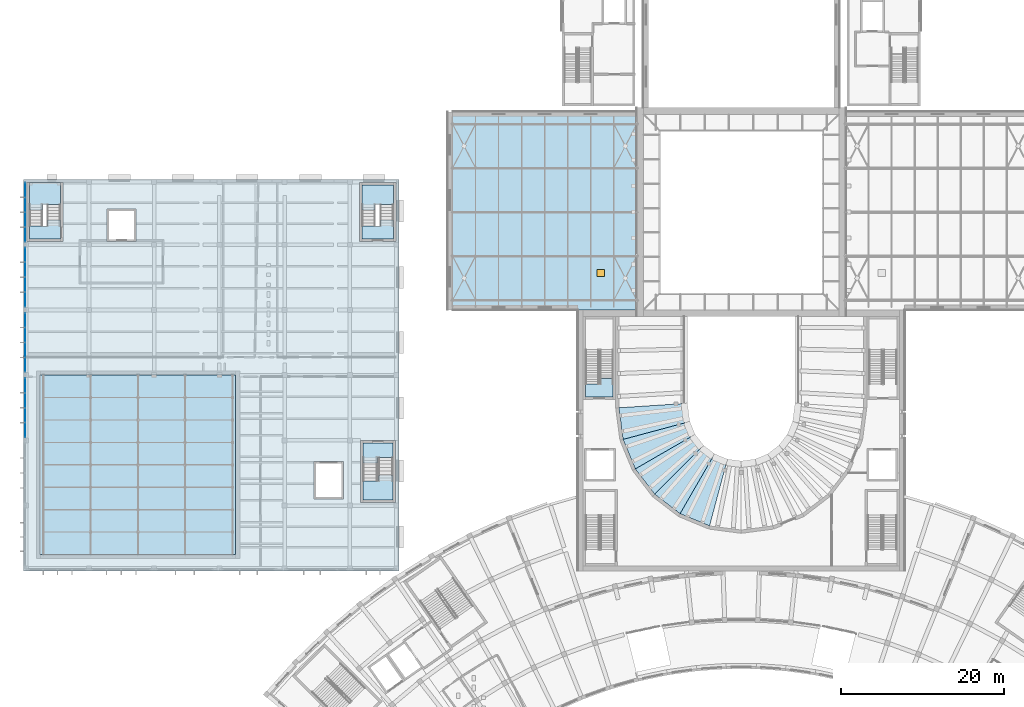
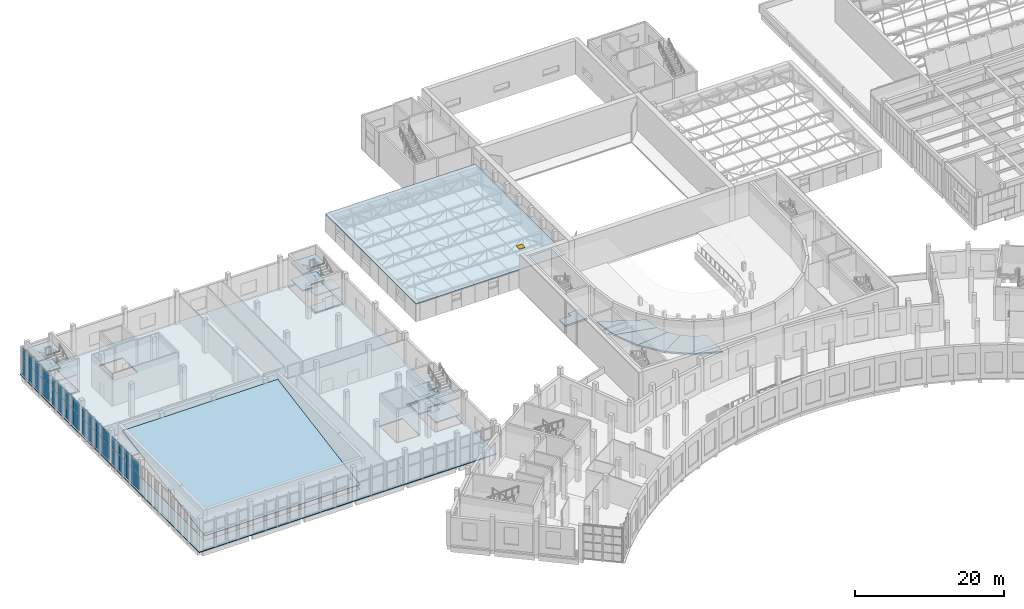
# One storey, part 64 of 132: 32 plates, 21 slabs, 1 door, 1 opening, 7 elements without a shape of their own.
"""IFC4 building model written with IfcOpenShell, lengths in metres."""

from ifc_helpers import new_model, si_unit, direction, frame, origin, origin_2d, place, context, subcontext, project, spatial, polyline, rectangle, outline, extrude, material, layer, layer_set, type_object, element, fill, aggregate, save


model = new_model("IFC4")

# Units and contexts
model_context = context("Model", 3, precision=1e-05, world=origin(), true_north=direction((0.0, 1.0)))
body_context = subcontext(model_context, "Body", "Model", "MODEL_VIEW")
ifc_project = project(units=[si_unit("LENGTHUNIT", "METRE"), si_unit("AREAUNIT", "SQUARE_METRE"), si_unit("VOLUMEUNIT", "CUBIC_METRE"), si_unit("PLANEANGLEUNIT", "RADIAN"), si_unit("MASSUNIT", "GRAM", prefix="KILO")], contexts=[model_context])

# Site, building, storey
site_placement = place(None, origin())
site = spatial("IfcSite", under=ifc_project, at=site_placement, CompositionType="ELEMENT")
building_placement = place(site_placement, origin())
building = spatial("IfcBuilding", under=site, at=building_placement, Name="Lunette Opera House", CompositionType="ELEMENT")
storey_placement = place(building_placement, frame((0.0, 0.0, 17.0)))
storey = spatial("IfcBuildingStorey", under=building, at=storey_placement, Name="L03", CompositionType="ELEMENT", Elevation=17.0)

# Slabs
ifc_material_1 = material(Name="Concrete C35/45", Category="concrete")
ifc_layer_1 = layer(ifc_material_1, 0.199951171875)
ifc_layer_set_1 = layer_set([ifc_layer_1], Name="Concrete C35/45")
slab_type_1 = type_object("IfcSlabType", Name="CORE LANDING SLAB 200", PredefinedType="LANDING", material=ifc_layer_set_1)
slab_1_placement = place(storey_placement, frame((0.0, 0.0, -0.199951171875)))
element("IfcSlab", 1, at=slab_1_placement, inside=storey, type_object=slab_type_1, Name="ST15 floor landing", PredefinedType="LANDING", context=body_context, shape_type="SweptSolid", body=[
    extrude(outline(polyline([(10.89990234375, 106.300048828125), (10.89990234375, 107.0), (12.5, 107.0), (12.5, 104.699951171875), (8.699951171875, 104.699951171875), (8.699951171875, 106.31005859375), (10.300048828125, 106.31005859375), (10.300048828125, 106.300048828125), (10.89990234375, 106.300048828125)])), origin(), (0.0, 0.0, 1.0), 0.199951171875),
])
slab_2_placement = place(storey_placement, frame((0.0, 0.0, -0.199951171875)))
element("IfcSlab", 2, at=slab_2_placement, inside=storey, type_object=slab_type_1, Name="ST16 floor landing", PredefinedType="LANDING", context=body_context, shape_type="SweptSolid", body=[
    extrude(outline(polyline([(53.300048828125, 77.919921875), (51.530029296875, 77.919921875), (51.530029296875, 77.929931640625), (51.3701171875, 77.929931640625), (51.3701171875, 77.22998046875), (49.60009765625, 77.22998046875), (49.60009765625, 79.699951171875), (53.300048828125, 79.699951171875), (53.300048828125, 77.919921875)])), origin(), (0.0, 0.0, 1.0), 0.199951171875),
])
slab_3_placement = place(storey_placement, frame((0.0, 0.0, -0.199951171875)))
element("IfcSlab", 3, at=slab_3_placement, inside=storey, type_object=slab_type_1, Name="ST17 floor landing", PredefinedType="LANDING", context=body_context, shape_type="SweptSolid", body=[
    extrude(outline(polyline([(53.3349609375, 104.699951171875), (49.5, 104.699951171875), (49.5, 106.31005859375), (51.10009765625, 106.31005859375), (51.10009765625, 106.300048828125), (51.735107421875, 106.300048828125), (51.735107421875, 107.0), (53.3349609375, 107.0), (53.3349609375, 104.699951171875)])), origin(), (0.0, 0.0, 1.0), 0.199951171875),
])
ifc_material_2 = material(Name="Concrete C35/45", Category="concrete")
ifc_layer_2 = layer(ifc_material_2, 0.300048828125)
ifc_layer_set_2 = layer_set([ifc_layer_2], Name="Concrete C35/45")
slab_type_2 = type_object("IfcSlabType", Name="CORE LANDING SLAB 300", PredefinedType="LANDING", material=ifc_layer_set_2)
slab_4_placement = place(storey_placement, frame((0.0, 0.0, -0.300048828125)))
element("IfcSlab", 4, at=slab_4_placement, inside=storey, type_object=slab_type_2, Name="ST10 floor landing", PredefinedType="LANDING", context=body_context, shape_type="SweptSolid", body=[
    extrude(outline(polyline([(76.89990234375, 85.300048828125), (76.89990234375, 86.929931640625), (78.52001953125, 86.929931640625), (78.52001953125, 86.919921875), (78.679931640625, 86.919921875), (78.679931640625, 87.6201171875), (80.300048828125, 87.6201171875), (80.300048828125, 85.300048828125), (76.89990234375, 85.300048828125)])), origin(), (0.0, 0.0, 1.0), 0.300048828125),
])

# Curtain wall, plates
ifc_material_3 = material(Name="Aluminium", Category="aluminium")
ifc_layer_3 = layer(ifc_material_3, 0.179931640625)
ifc_layer_set_3 = layer_set([ifc_layer_3], Name="Aluminium")
curtain_wall_type = type_object("IfcCurtainWallType", Name="SUN FACE CURTAIN WALL", PredefinedType="NOTDEFINED", material=ifc_layer_set_3)
curtain_wall_1_placement = place(storey_placement, origin())
curtain_wall_1 = element("IfcCurtainWall", 5, at=curtain_wall_1_placement, inside=storey, type_object=curtain_wall_type, Name="Sun Face Curtain Wall F13 L03", PredefinedType="NOTDEFINED")
ifc_material_4 = material(Name="Laminated glass", Category="glass")
ifc_layer_4 = layer(ifc_material_4, 0.028076171875)
ifc_layer_set_4 = layer_set([ifc_layer_4], Name="Laminated glass")
plate_type = type_object("IfcPlateType", Name="CURTAIN PANEL LAMINATED GLASS 28", PredefinedType="CURTAIN_PANEL", material=ifc_layer_set_4)
plate_1_placement = place(storey_placement, frame((8.181884765625, 110.706787109375, 0.06005859375), z_axis=(0.0, 0.0, 1.0), x_axis=(0.0, -1.0, 0.0)))
plate_1 = element("IfcPlate", 6, at=plate_1_placement, type_object=plate_type, Name="RW-X2043 panel 1.1", PredefinedType="CURTAIN_PANEL", context=body_context, shape_type="SweptSolid", body=[
    extrude(rectangle(XDim=1.736328125, YDim=0.028076171875, at=origin_2d()), origin(), (0.0, 0.0, 1.0), 2.5849609375),
])
plate_2_placement = place(storey_placement, frame((8.181884765625, 110.706787109375, 2.705078125), z_axis=(0.0, 0.0, 1.0), x_axis=(0.0, -1.0, 0.0)))
plate_2 = element("IfcPlate", 7, at=plate_2_placement, type_object=plate_type, Name="RW-X2043 panel 1.2", PredefinedType="CURTAIN_PANEL", context=body_context, shape_type="SweptSolid", body=[
    extrude(rectangle(XDim=1.736328125, YDim=0.028076171875, at=origin_2d()), origin(), (0.0, 0.0, 1.0), 1.784912109375),
])
plate_3_placement = place(storey_placement, frame((8.181884765625, 108.8955078125, 0.06005859375), z_axis=(0.0, 0.0, 1.0), x_axis=(0.0, -1.0, 0.0)))
plate_3 = element("IfcPlate", 8, at=plate_3_placement, type_object=plate_type, Name="RW-X2043 panel 2.1", PredefinedType="CURTAIN_PANEL", context=body_context, shape_type="SweptSolid", body=[
    extrude(rectangle(XDim=1.766357421875, YDim=0.028076171875, at=origin_2d()), origin(), (0.0, 0.0, 1.0), 2.5849609375),
])
plate_4_placement = place(storey_placement, frame((8.181884765625, 108.8955078125, 2.705078125), z_axis=(0.0, 0.0, 1.0), x_axis=(0.0, -1.0, 0.0)))
plate_4 = element("IfcPlate", 9, at=plate_4_placement, type_object=plate_type, Name="RW-X2043 panel 2.2", PredefinedType="CURTAIN_PANEL", context=body_context, shape_type="SweptSolid", body=[
    extrude(rectangle(XDim=1.766357421875, YDim=0.028076171875, at=origin_2d()), origin(), (0.0, 0.0, 1.0), 1.784912109375),
])
plate_5_placement = place(storey_placement, frame((8.181884765625, 107.0693359375, 0.06005859375), z_axis=(0.0, 0.0, 1.0), x_axis=(0.0, -1.0, 0.0)))
plate_5 = element("IfcPlate", 10, at=plate_5_placement, type_object=plate_type, Name="RW-X2043 panel 3.1", PredefinedType="CURTAIN_PANEL", context=body_context, shape_type="SweptSolid", body=[
    extrude(rectangle(XDim=1.766357421875, YDim=0.028076171875, at=origin_2d()), origin(), (0.0, 0.0, 1.0), 2.5849609375),
])
plate_6_placement = place(storey_placement, frame((8.181884765625, 107.0693359375, 2.705078125), z_axis=(0.0, 0.0, 1.0), x_axis=(0.0, -1.0, 0.0)))
plate_6 = element("IfcPlate", 11, at=plate_6_placement, type_object=plate_type, Name="RW-X2043 panel 3.2", PredefinedType="CURTAIN_PANEL", context=body_context, shape_type="SweptSolid", body=[
    extrude(rectangle(XDim=1.766357421875, YDim=0.028076171875, at=origin_2d()), origin(), (0.0, 0.0, 1.0), 1.784912109375),
])
plate_7_placement = place(storey_placement, frame((8.181884765625, 105.258056640625, 0.06005859375), z_axis=(0.0, 0.0, 1.0), x_axis=(0.0, -1.0, 0.0)))
plate_7 = element("IfcPlate", 12, at=plate_7_placement, type_object=plate_type, Name="RW-X2043 panel 4.1", PredefinedType="CURTAIN_PANEL", context=body_context, shape_type="SweptSolid", body=[
    extrude(rectangle(XDim=1.736328125, YDim=0.028076171875, at=origin_2d()), origin(), (0.0, 0.0, 1.0), 2.5849609375),
])
plate_8_placement = place(storey_placement, frame((8.181884765625, 105.258056640625, 2.705078125), z_axis=(0.0, 0.0, 1.0), x_axis=(0.0, -1.0, 0.0)))
plate_8 = element("IfcPlate", 13, at=plate_8_placement, type_object=plate_type, Name="RW-X2043 panel 4.2", PredefinedType="CURTAIN_PANEL", context=body_context, shape_type="SweptSolid", body=[
    extrude(rectangle(XDim=1.736328125, YDim=0.028076171875, at=origin_2d()), origin(), (0.0, 0.0, 1.0), 1.784912109375),
])
aggregate(curtain_wall_1, [plate_1, plate_2, plate_3, plate_4, plate_5, plate_6, plate_7, plate_8])

curtain_wall_2_placement = place(storey_placement, origin())
curtain_wall_2 = element("IfcCurtainWall", 14, at=curtain_wall_2_placement, inside=storey, type_object=curtain_wall_type, Name="Sun Face Curtain Wall F14 L03", PredefinedType="NOTDEFINED")
plate_9_placement = place(storey_placement, frame((8.181884765625, 102.76025390625, 0.06005859375), z_axis=(0.0, 0.0, 1.0), x_axis=(0.0, -1.0, 0.0)))
plate_9 = element("IfcPlate", 15, at=plate_9_placement, type_object=plate_type, Name="RW-X2044 panel 1.1", PredefinedType="CURTAIN_PANEL", context=body_context, shape_type="SweptSolid", body=[
    extrude(rectangle(XDim=1.75146484375, YDim=0.028076171875, at=origin_2d()), origin(), (0.0, 0.0, 1.0), 2.5849609375),
])
plate_10_placement = place(storey_placement, frame((8.181884765625, 102.76025390625, 2.705078125), z_axis=(0.0, 0.0, 1.0), x_axis=(0.0, -1.0, 0.0)))
plate_10 = element("IfcPlate", 16, at=plate_10_placement, type_object=plate_type, Name="RW-X2044 panel 1.2", PredefinedType="CURTAIN_PANEL", context=body_context, shape_type="SweptSolid", body=[
    extrude(rectangle(XDim=1.75146484375, YDim=0.028076171875, at=origin_2d()), origin(), (0.0, 0.0, 1.0), 1.784912109375),
])
plate_11_placement = place(storey_placement, frame((8.181884765625, 100.933837890625, 0.06005859375), z_axis=(0.0, 0.0, 1.0), x_axis=(0.0, -1.0, 0.0)))
plate_11 = element("IfcPlate", 17, at=plate_11_placement, type_object=plate_type, Name="RW-X2044 panel 2.1", PredefinedType="CURTAIN_PANEL", context=body_context, shape_type="SweptSolid", body=[
    extrude(rectangle(XDim=1.781494140625, YDim=0.028076171875, at=origin_2d()), origin(), (0.0, 0.0, 1.0), 2.5849609375),
])
plate_12_placement = place(storey_placement, frame((8.181884765625, 100.933837890625, 2.705078125), z_axis=(0.0, 0.0, 1.0), x_axis=(0.0, -1.0, 0.0)))
plate_12 = element("IfcPlate", 18, at=plate_12_placement, type_object=plate_type, Name="RW-X2044 panel 2.2", PredefinedType="CURTAIN_PANEL", context=body_context, shape_type="SweptSolid", body=[
    extrude(rectangle(XDim=1.781494140625, YDim=0.028076171875, at=origin_2d()), origin(), (0.0, 0.0, 1.0), 1.784912109375),
])
plate_13_placement = place(storey_placement, frame((8.181884765625, 99.09228515625, 0.06005859375), z_axis=(0.0, 0.0, 1.0), x_axis=(0.0, -1.0, 0.0)))
plate_13 = element("IfcPlate", 19, at=plate_13_placement, type_object=plate_type, Name="RW-X2044 panel 3.1", PredefinedType="CURTAIN_PANEL", context=body_context, shape_type="SweptSolid", body=[
    extrude(rectangle(XDim=1.781494140625, YDim=0.028076171875, at=origin_2d()), origin(), (0.0, 0.0, 1.0), 2.5849609375),
])
plate_14_placement = place(storey_placement, frame((8.181884765625, 99.09228515625, 2.705078125), z_axis=(0.0, 0.0, 1.0), x_axis=(0.0, -1.0, 0.0)))
plate_14 = element("IfcPlate", 20, at=plate_14_placement, type_object=plate_type, Name="RW-X2044 panel 3.2", PredefinedType="CURTAIN_PANEL", context=body_context, shape_type="SweptSolid", body=[
    extrude(rectangle(XDim=1.781494140625, YDim=0.028076171875, at=origin_2d()), origin(), (0.0, 0.0, 1.0), 1.784912109375),
])
plate_15_placement = place(storey_placement, frame((8.181884765625, 97.265869140625, 0.06005859375), z_axis=(0.0, 0.0, 1.0), x_axis=(0.0, -1.0, 0.0)))
plate_15 = element("IfcPlate", 21, at=plate_15_placement, type_object=plate_type, Name="RW-X2044 panel 4.1", PredefinedType="CURTAIN_PANEL", context=body_context, shape_type="SweptSolid", body=[
    extrude(rectangle(XDim=1.75146484375, YDim=0.028076171875, at=origin_2d()), origin(), (0.0, 0.0, 1.0), 2.5849609375),
])
plate_16_placement = place(storey_placement, frame((8.181884765625, 97.265869140625, 2.705078125), z_axis=(0.0, 0.0, 1.0), x_axis=(0.0, -1.0, 0.0)))
plate_16 = element("IfcPlate", 22, at=plate_16_placement, type_object=plate_type, Name="RW-X2044 panel 4.2", PredefinedType="CURTAIN_PANEL", context=body_context, shape_type="SweptSolid", body=[
    extrude(rectangle(XDim=1.75146484375, YDim=0.028076171875, at=origin_2d()), origin(), (0.0, 0.0, 1.0), 1.784912109375),
])
aggregate(curtain_wall_2, [plate_9, plate_10, plate_11, plate_12, plate_13, plate_14, plate_15, plate_16])

curtain_wall_3_placement = place(storey_placement, origin())
curtain_wall_3 = element("IfcCurtainWall", 23, at=curtain_wall_3_placement, inside=storey, type_object=curtain_wall_type, Name="Sun Face Curtain Wall F15 L03", PredefinedType="NOTDEFINED")
plate_17_placement = place(storey_placement, frame((8.181884765625, 94.737548828125, 0.06005859375), z_axis=(0.0, 0.0, 1.0), x_axis=(0.0, -1.0, 0.0)))
plate_17 = element("IfcPlate", 24, at=plate_17_placement, type_object=plate_type, Name="RW-X2045 panel 1.1", PredefinedType="CURTAIN_PANEL", context=body_context, shape_type="SweptSolid", body=[
    extrude(rectangle(XDim=1.7451171875, YDim=0.028076171875, at=origin_2d()), origin(), (0.0, 0.0, 1.0), 2.5849609375),
])
plate_18_placement = place(storey_placement, frame((8.181884765625, 94.737548828125, 2.705078125), z_axis=(0.0, 0.0, 1.0), x_axis=(0.0, -1.0, 0.0)))
plate_18 = element("IfcPlate", 25, at=plate_18_placement, type_object=plate_type, Name="RW-X2045 panel 1.2", PredefinedType="CURTAIN_PANEL", context=body_context, shape_type="SweptSolid", body=[
    extrude(rectangle(XDim=1.7451171875, YDim=0.028076171875, at=origin_2d()), origin(), (0.0, 0.0, 1.0), 1.784912109375),
])
plate_19_placement = place(storey_placement, frame((8.181884765625, 92.91748046875, 0.06005859375), z_axis=(0.0, 0.0, 1.0), x_axis=(0.0, -1.0, 0.0)))
plate_19 = element("IfcPlate", 26, at=plate_19_placement, type_object=plate_type, Name="RW-X2045 panel 2.1", PredefinedType="CURTAIN_PANEL", context=body_context, shape_type="SweptSolid", body=[
    extrude(rectangle(XDim=1.77490234375, YDim=0.028076171875, at=origin_2d()), origin(), (0.0, 0.0, 1.0), 2.5849609375),
])
plate_20_placement = place(storey_placement, frame((8.181884765625, 92.91748046875, 2.705078125), z_axis=(0.0, 0.0, 1.0), x_axis=(0.0, -1.0, 0.0)))
plate_20 = element("IfcPlate", 27, at=plate_20_placement, type_object=plate_type, Name="RW-X2045 panel 2.2", PredefinedType="CURTAIN_PANEL", context=body_context, shape_type="SweptSolid", body=[
    extrude(rectangle(XDim=1.77490234375, YDim=0.028076171875, at=origin_2d()), origin(), (0.0, 0.0, 1.0), 1.784912109375),
])
plate_21_placement = place(storey_placement, frame((8.181884765625, 91.08251953125, 0.06005859375), z_axis=(0.0, 0.0, 1.0), x_axis=(0.0, -1.0, 0.0)))
plate_21 = element("IfcPlate", 28, at=plate_21_placement, type_object=plate_type, Name="RW-X2045 panel 3.1", PredefinedType="CURTAIN_PANEL", context=body_context, shape_type="SweptSolid", body=[
    extrude(rectangle(XDim=1.77490234375, YDim=0.028076171875, at=origin_2d()), origin(), (0.0, 0.0, 1.0), 2.5849609375),
])
plate_22_placement = place(storey_placement, frame((8.181884765625, 91.08251953125, 2.705078125), z_axis=(0.0, 0.0, 1.0), x_axis=(0.0, -1.0, 0.0)))
plate_22 = element("IfcPlate", 29, at=plate_22_placement, type_object=plate_type, Name="RW-X2045 panel 3.2", PredefinedType="CURTAIN_PANEL", context=body_context, shape_type="SweptSolid", body=[
    extrude(rectangle(XDim=1.77490234375, YDim=0.028076171875, at=origin_2d()), origin(), (0.0, 0.0, 1.0), 1.784912109375),
])
plate_23_placement = place(storey_placement, frame((8.181884765625, 89.262451171875, 0.06005859375), z_axis=(0.0, 0.0, 1.0), x_axis=(0.0, -1.0, 0.0)))
plate_23 = element("IfcPlate", 30, at=plate_23_placement, type_object=plate_type, Name="RW-X2045 panel 4.1", PredefinedType="CURTAIN_PANEL", context=body_context, shape_type="SweptSolid", body=[
    extrude(rectangle(XDim=1.7451171875, YDim=0.028076171875, at=origin_2d()), origin(), (0.0, 0.0, 1.0), 2.5849609375),
])
plate_24_placement = place(storey_placement, frame((8.181884765625, 89.262451171875, 2.705078125), z_axis=(0.0, 0.0, 1.0), x_axis=(0.0, -1.0, 0.0)))
plate_24 = element("IfcPlate", 31, at=plate_24_placement, type_object=plate_type, Name="RW-X2045 panel 4.2", PredefinedType="CURTAIN_PANEL", context=body_context, shape_type="SweptSolid", body=[
    extrude(rectangle(XDim=1.7451171875, YDim=0.028076171875, at=origin_2d()), origin(), (0.0, 0.0, 1.0), 1.784912109375),
])
aggregate(curtain_wall_3, [plate_17, plate_18, plate_19, plate_20, plate_21, plate_22, plate_23, plate_24])

curtain_wall_4_placement = place(storey_placement, origin())
curtain_wall_4 = element("IfcCurtainWall", 32, at=curtain_wall_4_placement, inside=storey, type_object=curtain_wall_type, Name="Sun Face Curtain Wall F16 L03", PredefinedType="NOTDEFINED")
plate_25_placement = place(storey_placement, frame((8.181884765625, 86.737548828125, 0.06005859375), z_axis=(0.0, 0.0, 1.0), x_axis=(0.0, -1.0, 0.0)))
plate_25 = element("IfcPlate", 33, at=plate_25_placement, type_object=plate_type, Name="RW-X2046 panel 1.1", PredefinedType="CURTAIN_PANEL", context=body_context, shape_type="SweptSolid", body=[
    extrude(rectangle(XDim=1.7451171875, YDim=0.028076171875, at=origin_2d()), origin(), (0.0, 0.0, 1.0), 2.5849609375),
])
plate_26_placement = place(storey_placement, frame((8.181884765625, 86.737548828125, 2.705078125), z_axis=(0.0, 0.0, 1.0), x_axis=(0.0, -1.0, 0.0)))
plate_26 = element("IfcPlate", 34, at=plate_26_placement, type_object=plate_type, Name="RW-X2046 panel 1.2", PredefinedType="CURTAIN_PANEL", context=body_context, shape_type="SweptSolid", body=[
    extrude(rectangle(XDim=1.7451171875, YDim=0.028076171875, at=origin_2d()), origin(), (0.0, 0.0, 1.0), 1.784912109375),
])
plate_27_placement = place(storey_placement, frame((8.181884765625, 84.91748046875, 0.06005859375), z_axis=(0.0, 0.0, 1.0), x_axis=(0.0, -1.0, 0.0)))
plate_27 = element("IfcPlate", 35, at=plate_27_placement, type_object=plate_type, Name="RW-X2046 panel 2.1", PredefinedType="CURTAIN_PANEL", context=body_context, shape_type="SweptSolid", body=[
    extrude(rectangle(XDim=1.77490234375, YDim=0.028076171875, at=origin_2d()), origin(), (0.0, 0.0, 1.0), 2.5849609375),
])
plate_28_placement = place(storey_placement, frame((8.181884765625, 84.91748046875, 2.705078125), z_axis=(0.0, 0.0, 1.0), x_axis=(0.0, -1.0, 0.0)))
plate_28 = element("IfcPlate", 36, at=plate_28_placement, type_object=plate_type, Name="RW-X2046 panel 2.2", PredefinedType="CURTAIN_PANEL", context=body_context, shape_type="SweptSolid", body=[
    extrude(rectangle(XDim=1.77490234375, YDim=0.028076171875, at=origin_2d()), origin(), (0.0, 0.0, 1.0), 1.784912109375),
])
plate_29_placement = place(storey_placement, frame((8.181884765625, 83.08251953125, 0.06005859375), z_axis=(0.0, 0.0, 1.0), x_axis=(0.0, -1.0, 0.0)))
plate_29 = element("IfcPlate", 37, at=plate_29_placement, type_object=plate_type, Name="RW-X2046 panel 3.1", PredefinedType="CURTAIN_PANEL", context=body_context, shape_type="SweptSolid", body=[
    extrude(rectangle(XDim=1.77490234375, YDim=0.028076171875, at=origin_2d()), origin(), (0.0, 0.0, 1.0), 2.5849609375),
])
plate_30_placement = place(storey_placement, frame((8.181884765625, 83.08251953125, 2.705078125), z_axis=(0.0, 0.0, 1.0), x_axis=(0.0, -1.0, 0.0)))
plate_30 = element("IfcPlate", 38, at=plate_30_placement, type_object=plate_type, Name="RW-X2046 panel 3.2", PredefinedType="CURTAIN_PANEL", context=body_context, shape_type="SweptSolid", body=[
    extrude(rectangle(XDim=1.77490234375, YDim=0.028076171875, at=origin_2d()), origin(), (0.0, 0.0, 1.0), 1.784912109375),
])
plate_31_placement = place(storey_placement, frame((8.181884765625, 81.262451171875, 0.06005859375), z_axis=(0.0, 0.0, 1.0), x_axis=(0.0, -1.0, 0.0)))
plate_31 = element("IfcPlate", 39, at=plate_31_placement, type_object=plate_type, Name="RW-X2046 panel 4.1", PredefinedType="CURTAIN_PANEL", context=body_context, shape_type="SweptSolid", body=[
    extrude(rectangle(XDim=1.7451171875, YDim=0.028076171875, at=origin_2d()), origin(), (0.0, 0.0, 1.0), 2.5849609375),
])
plate_32_placement = place(storey_placement, frame((8.181884765625, 81.262451171875, 2.705078125), z_axis=(0.0, 0.0, 1.0), x_axis=(0.0, -1.0, 0.0)))
plate_32 = element("IfcPlate", 40, at=plate_32_placement, type_object=plate_type, Name="RW-X2046 panel 4.2", PredefinedType="CURTAIN_PANEL", context=body_context, shape_type="SweptSolid", body=[
    extrude(rectangle(XDim=1.7451171875, YDim=0.028076171875, at=origin_2d()), origin(), (0.0, 0.0, 1.0), 1.784912109375),
])
aggregate(curtain_wall_4, [plate_25, plate_26, plate_27, plate_28, plate_29, plate_30, plate_31, plate_32])

# Slab
ifc_material_5 = material(Name="Concrete C35/45", Category="concrete")
ifc_layer_5 = layer(ifc_material_5, 0.14990234375)
ifc_layer_set_5 = layer_set([ifc_layer_5], Name="Concrete C35/45")
slab_type_3 = type_object("IfcSlabType", Name="FLOOR SLAB 150", PredefinedType="FLOOR", material=ifc_layer_set_5)
slab_5_placement = place(storey_placement, frame((0.0, 0.0, -0.14990234375)))
element("IfcSlab", 41, at=slab_5_placement, inside=storey, type_object=slab_type_3, Name="slab-RW-L03-F1", PredefinedType="FLOOR", context=body_context, shape_type="SweptSolid", body=[
    extrude(outline(polyline([(8.0, 112.0), (8.0, 64.0), (54.0, 64.0), (54.0, 112.0), (8.0, 112.0)]), holes=[polyline([(10.0, 88.0), (34.0, 88.0), (34.0, 66.0), (10.0, 66.0), (10.0, 88.0)]), polyline([(43.60009765625, 72.800048828125), (43.60009765625, 77.39990234375), (47.199951171875, 77.39990234375), (47.199951171875, 72.800048828125), (43.60009765625, 72.800048828125)]), polyline([(49.300048828125, 72.39990234375), (49.300048828125, 80.0), (53.60009765625, 80.0), (53.60009765625, 72.39990234375), (49.300048828125, 72.39990234375)]), polyline([(18.199951171875, 104.39990234375), (18.199951171875, 108.39990234375), (21.800048828125, 108.39990234375), (21.800048828125, 104.39990234375), (18.199951171875, 104.39990234375)]), polyline([(8.39990234375, 111.635009765625), (12.800048828125, 111.635009765625), (12.800048828125, 104.39990234375), (8.39990234375, 104.39990234375), (8.39990234375, 111.635009765625)]), polyline([(49.199951171875, 111.635009765625), (53.635009765625, 111.635009765625), (53.635009765625, 104.39990234375), (49.199951171875, 104.39990234375), (49.199951171875, 111.635009765625)])]), origin(), (0.0, 0.0, 1.0), 0.14990234375),
])

# Slab, opening, door
ifc_material_6 = material(Name="Concrete C35/45", Category="concrete")
ifc_layer_6 = layer(ifc_material_6, 0.1201171875)
ifc_layer_set_6 = layer_set([ifc_layer_6], Name="Concrete C35/45")
slab_type_4 = type_object("IfcSlabType", Name="ROOF DECK 120", PredefinedType="ROOF", material=ifc_layer_set_6)
slab_6_placement = place(storey_placement, frame((0.0, 0.0, 2.8798828125)))
slab_6 = element("IfcSlab", 42, at=slab_6_placement, inside=storey, type_object=slab_type_4, Name="slab-ST-L03-SWR-DK", PredefinedType="ROOF", context=body_context, shape_type="SweptSolid", body=[
    extrude(outline(polyline([(83.199951171875, 96.0), (83.199951171875, 120.300048828125), (60.0, 120.300048828125), (60.0, 96.0), (83.199951171875, 96.0)])), origin(), (0.0, 0.0, 1.0), 0.1201171875),
])
opening_placement = place(slab_6_placement, frame((78.76708984375, 100.52490234375, 0.0)))
opening = element("IfcOpeningElement", 43, at=opening_placement, cuts=slab_6, Name="Opening ST-D2005", PredefinedType="OPENING", context=body_context, shape_type="SweptSolid", body=[
    extrude(rectangle(XDim=0.89990234375, YDim=0.89990234375, at=origin_2d()), origin(), (0.0, 0.0, 1.0), 0.1201171875),
])
ifc_material_7 = material(Name="Insulated steel", Category="steel")
door_type = type_object("IfcDoorType", Name="ROOF HATCH 900 X 900", OperationType="SINGLE_SWING_LEFT", PredefinedType="TRAPDOOR", material=ifc_material_7)
door_placement = place(opening_placement, frame((0.0, 0.0, 0.070068359375)))
door = element("IfcDoor", 44, at=door_placement, inside=storey, type_object=door_type, Name="Roof hatch ST 2", OperationType="SINGLE_SWING_LEFT", OverallHeight=0.89990234375, OverallWidth=0.89990234375, PredefinedType="TRAPDOOR", context=body_context, shape_type="SweptSolid", body=[
    extrude(rectangle(XDim=0.89990234375, YDim=0.89990234375, at=origin_2d()), origin(), (0.0, 0.0, 1.0), 0.050048828125),
])
fill(opening, door)

# Slab
slab_7_placement = place(storey_placement, frame((10.0, 66.0, 0.719970703125), z_axis=(0.0, -0.173646302826, 0.984808083595), x_axis=(1.0, 0.0, 0.0)))
element("IfcSlab", 45, at=slab_7_placement, inside=storey, type_object=slab_type_4, Name="slab-RW-L03-HALLROOF", PredefinedType="ROOF", context=body_context, shape_type="SweptSolid", body=[
    extrude(outline(polyline([(0.0, 0.0), (24.0, 0.0), (24.0, 22.339377962537053), (0.0, 22.339377962537053), (0.0, 0.0)])), origin(), (0.0, 0.0, -1.0), 0.1201171875),
])

# Stair, slabs
ifc_material_8 = material(Name="Concrete C35/45", Category="concrete")
stair_type_1 = type_object("IfcStairType", Name="DOGLEG STAIR 1600", PredefinedType="HALF_TURN_STAIR", material=ifc_material_8)
stair_1_placement = place(storey_placement, origin())
stair_1 = element("IfcStair", 46, at=stair_1_placement, inside=storey, type_object=stair_type_1, Name="L03 stair ST15", PredefinedType="HALF_TURN_STAIR")
ifc_material_9 = material(Name="Concrete C35/45", Category="concrete")
ifc_layer_7 = layer(ifc_material_9, 0.199951171875)
ifc_layer_set_7 = layer_set([ifc_layer_7], Name="Concrete C35/45")
slab_type_5 = type_object("IfcSlabType", Name="STAIR LANDING SLAB 200", PredefinedType="LANDING", material=ifc_layer_set_7)
slab_8_placement = place(storey_placement, frame((0.0, 0.0, 1.175048828125)))
slab_8 = element("IfcSlab", 47, at=slab_8_placement, type_object=slab_type_5, Name="ST15 landing 1", PredefinedType="LANDING", context=body_context, shape_type="SweptSolid", body=[
    extrude(outline(polyline([(12.5, 108.949951171875), (10.89990234375, 108.949951171875), (10.89990234375, 108.9599609375), (10.300048828125, 108.9599609375), (10.300048828125, 108.260009765625), (8.699951171875, 108.260009765625), (8.699951171875, 111.635009765625), (12.5, 111.635009765625), (12.5, 108.949951171875)])), origin(), (0.0, 0.0, 1.0), 0.199951171875),
])
slab_9_placement = place(storey_placement, frame((0.0, 0.0, 2.550048828125)))
slab_9 = element("IfcSlab", 48, at=slab_9_placement, type_object=slab_type_5, Name="ST15 landing 2", PredefinedType="LANDING", context=body_context, shape_type="SweptSolid", body=[
    extrude(outline(polyline([(8.699951171875, 104.699951171875), (8.699951171875, 106.31005859375), (10.300048828125, 106.31005859375), (10.300048828125, 106.300048828125), (10.89990234375, 106.300048828125), (10.89990234375, 107.0), (12.5, 107.0), (12.5, 104.699951171875), (8.699951171875, 104.699951171875)])), origin(), (0.0, 0.0, 1.0), 0.199951171875),
])
slab_10_placement = place(storey_placement, frame((0.0, 0.0, 3.925048828125)))
slab_10 = element("IfcSlab", 49, at=slab_10_placement, type_object=slab_type_5, Name="ST15 landing 3", PredefinedType="LANDING", context=body_context, shape_type="SweptSolid", body=[
    extrude(outline(polyline([(12.5, 108.949951171875), (10.89990234375, 108.949951171875), (10.89990234375, 108.9599609375), (10.300048828125, 108.9599609375), (10.300048828125, 108.260009765625), (8.699951171875, 108.260009765625), (8.699951171875, 111.635009765625), (12.5, 111.635009765625), (12.5, 108.949951171875)])), origin(), (0.0, 0.0, 1.0), 0.199951171875),
])
aggregate(stair_1, [slab_8, slab_9, slab_10])

ifc_material_10 = material(Name="Concrete C35/45", Category="concrete")
stair_type_2 = type_object("IfcStairType", Name="DOGLEG STAIR 1770", PredefinedType="HALF_TURN_STAIR", material=ifc_material_10)
stair_2_placement = place(storey_placement, origin())
stair_2 = element("IfcStair", 50, at=stair_2_placement, inside=storey, type_object=stair_type_2, Name="L03 stair ST16", PredefinedType="HALF_TURN_STAIR")
slab_11_placement = place(storey_placement, frame((0.0, 0.0, 1.175048828125)))
slab_11 = element("IfcSlab", 51, at=slab_11_placement, type_object=slab_type_5, Name="ST16 landing 1", PredefinedType="LANDING", context=body_context, shape_type="SweptSolid", body=[
    extrude(outline(polyline([(49.60009765625, 72.699951171875), (49.60009765625, 75.0), (51.3701171875, 75.0), (51.3701171875, 74.989990234375), (51.530029296875, 74.989990234375), (51.530029296875, 75.68994140625), (53.300048828125, 75.68994140625), (53.300048828125, 72.699951171875), (49.60009765625, 72.699951171875)])), origin(), (0.0, 0.0, 1.0), 0.199951171875),
])
slab_12_placement = place(storey_placement, frame((0.0, 0.0, 2.550048828125)))
slab_12 = element("IfcSlab", 52, at=slab_12_placement, type_object=slab_type_5, Name="ST16 landing 2", PredefinedType="LANDING", context=body_context, shape_type="SweptSolid", body=[
    extrude(outline(polyline([(53.300048828125, 77.919921875), (51.530029296875, 77.919921875), (51.530029296875, 77.929931640625), (51.3701171875, 77.929931640625), (51.3701171875, 77.22998046875), (49.60009765625, 77.22998046875), (49.60009765625, 79.699951171875), (53.300048828125, 79.699951171875), (53.300048828125, 77.919921875)])), origin(), (0.0, 0.0, 1.0), 0.199951171875),
])
slab_13_placement = place(storey_placement, frame((0.0, 0.0, 3.925048828125)))
slab_13 = element("IfcSlab", 53, at=slab_13_placement, type_object=slab_type_5, Name="ST16 landing 3", PredefinedType="LANDING", context=body_context, shape_type="SweptSolid", body=[
    extrude(outline(polyline([(49.60009765625, 72.699951171875), (49.60009765625, 75.0), (51.3701171875, 75.0), (51.3701171875, 74.989990234375), (51.530029296875, 74.989990234375), (51.530029296875, 75.68994140625), (53.300048828125, 75.68994140625), (53.300048828125, 72.699951171875), (49.60009765625, 72.699951171875)])), origin(), (0.0, 0.0, 1.0), 0.199951171875),
])
aggregate(stair_2, [slab_11, slab_12, slab_13])

stair_3_placement = place(storey_placement, origin())
stair_3 = element("IfcStair", 54, at=stair_3_placement, inside=storey, type_object=stair_type_1, Name="L03 stair ST17", PredefinedType="HALF_TURN_STAIR")
slab_14_placement = place(storey_placement, frame((0.0, 0.0, 1.175048828125)))
slab_14 = element("IfcSlab", 55, at=slab_14_placement, type_object=slab_type_5, Name="ST17 landing 1", PredefinedType="LANDING", context=body_context, shape_type="SweptSolid", body=[
    extrude(outline(polyline([(53.3349609375, 108.949951171875), (51.735107421875, 108.949951171875), (51.735107421875, 108.9599609375), (51.10009765625, 108.9599609375), (51.10009765625, 108.260009765625), (49.5, 108.260009765625), (49.5, 111.3349609375), (53.3349609375, 111.3349609375), (53.3349609375, 108.949951171875)])), origin(), (0.0, 0.0, 1.0), 0.199951171875),
])
slab_15_placement = place(storey_placement, frame((0.0, 0.0, 2.550048828125)))
slab_15 = element("IfcSlab", 56, at=slab_15_placement, type_object=slab_type_5, Name="ST17 landing 2", PredefinedType="LANDING", context=body_context, shape_type="SweptSolid", body=[
    extrude(outline(polyline([(53.3349609375, 104.699951171875), (49.5, 104.699951171875), (49.5, 106.31005859375), (51.10009765625, 106.31005859375), (51.10009765625, 106.300048828125), (51.735107421875, 106.300048828125), (51.735107421875, 107.0), (53.3349609375, 107.0), (53.3349609375, 104.699951171875)])), origin(), (0.0, 0.0, 1.0), 0.199951171875),
])
slab_16_placement = place(storey_placement, frame((0.0, 0.0, 3.925048828125)))
slab_16 = element("IfcSlab", 57, at=slab_16_placement, type_object=slab_type_5, Name="ST17 landing 3", PredefinedType="LANDING", context=body_context, shape_type="SweptSolid", body=[
    extrude(outline(polyline([(53.3349609375, 108.949951171875), (51.735107421875, 108.949951171875), (51.735107421875, 108.9599609375), (51.10009765625, 108.9599609375), (51.10009765625, 108.260009765625), (49.5, 108.260009765625), (49.5, 111.3349609375), (53.3349609375, 111.3349609375), (53.3349609375, 108.949951171875)])), origin(), (0.0, 0.0, 1.0), 0.199951171875),
])
aggregate(stair_3, [slab_14, slab_15, slab_16])

# Slabs
ifc_material_11 = material(Name="Concrete C35/45", Category="concrete")
ifc_layer_8 = layer(ifc_material_11, 0.199951171875)
ifc_layer_set_8 = layer_set([ifc_layer_8], Name="Concrete C35/45")
slab_type_6 = type_object("IfcSlabType", Name="TIER SLAB 200", PredefinedType="FLOOR", material=ifc_layer_set_8)
slab_17_placement = place(storey_placement, frame((81.0, 84.0, 0.0), z_axis=(0.327536231334, 0.043104000202, 0.943854894743), x_axis=(0.130498496325, -0.991448507181, -8.04046e-06)))
element("IfcSlab", 58, at=slab_17_placement, inside=storey, type_object=slab_type_6, Name="slab-AU-L03-T2-02", PredefinedType="FLOOR", context=body_context, shape_type="SweptSolid", body=[
    extrude(outline(polyline([(0.0, 0.0), (3.915565445678705, -5.551115123125783e-17), (2.8624080069057176, 8.475672432413916), (0.5245650505848386, 8.475824630720892), (0.0, 0.0)])), origin(), (0.0, 0.0, -1.0), 0.199951171875),
])
slab_18_placement = place(storey_placement, frame((81.510986328125, 80.117919921875, 0.0), z_axis=(0.305182142373, 0.126487742632, 0.943856297823), x_axis=(0.382789056166, -0.923835773944, 3.5511095e-05)))
element("IfcSlab", 59, at=slab_18_placement, inside=storey, type_object=slab_type_6, Name="slab-AU-L03-T2-03", PredefinedType="FLOOR", context=body_context, shape_type="SweptSolid", body=[
    extrude(outline(polyline([(0.0, 0.0), (3.9161736179037447, 2.220446049250313e-16), (2.863422163297033, 8.476152792710957), (1.0542439398836545, 8.475537355651632), (0.0, 0.0)])), origin(), (0.0, 0.0, -1.0), 0.199951171875),
])
slab_19_placement = place(storey_placement, frame((83.010009765625, 76.5, 0.0), z_axis=(0.262121912805, 0.201039491463, 0.943861867913), x_axis=(0.608601969299, -0.793475672529, -8.440469e-06)))
element("IfcSlab", 60, at=slab_19_placement, inside=storey, type_object=slab_type_6, Name="slab-AU-L03-T2-04", PredefinedType="FLOOR", context=body_context, shape_type="SweptSolid", body=[
    extrude(outline(polyline([(0.0, 0.0), (3.9156091872367873, 2.220446049250313e-16), (2.860733360050136, 8.476180190472407), (1.051352180441481, 8.476326468684544), (0.0, 0.0)])), origin(), (0.0, 0.0, -1.0), 0.199951171875),
])
slab_20_placement = place(storey_placement, frame((85.39306640625, 73.39306640625, 0.0), z_axis=(0.201039491463, 0.262121912805, 0.943861867913), x_axis=(0.793475672529, -0.608601969299, 8.440469e-06)))
element("IfcSlab", 61, at=slab_20_placement, inside=storey, type_object=slab_type_6, Name="slab-AU-L03-T2-05", PredefinedType="FLOOR", context=body_context, shape_type="SweptSolid", body=[
    extrude(outline(polyline([(0.0, 0.0), (3.9156091872367873, -2.220446049250313e-16), (2.8642570067953064, 8.476326468684544), (1.054875827186652, 8.476180190472407), (0.0, 0.0)])), origin(), (0.0, 0.0, -1.0), 0.199951171875),
])
slab_21_placement = place(storey_placement, frame((88.5, 71.010009765625, 0.0), z_axis=(0.126487742632, 0.305182142373, 0.943856297823), x_axis=(0.923835773944, -0.382789056166, -3.5511095e-05)))
element("IfcSlab", 62, at=slab_21_placement, inside=storey, type_object=slab_type_6, Name="slab-AU-L03-T2-06", PredefinedType="FLOOR", context=body_context, shape_type="SweptSolid", body=[
    extrude(outline(polyline([(0.0, 0.0), (3.9161736179037447, -2.220446049250313e-16), (2.8619296780200902, 8.475537355651632), (1.052751454606712, 8.476152792710957), (0.0, 0.0)])), origin(), (0.0, 0.0, -1.0), 0.199951171875),
])

save(model, "model.ifc")
